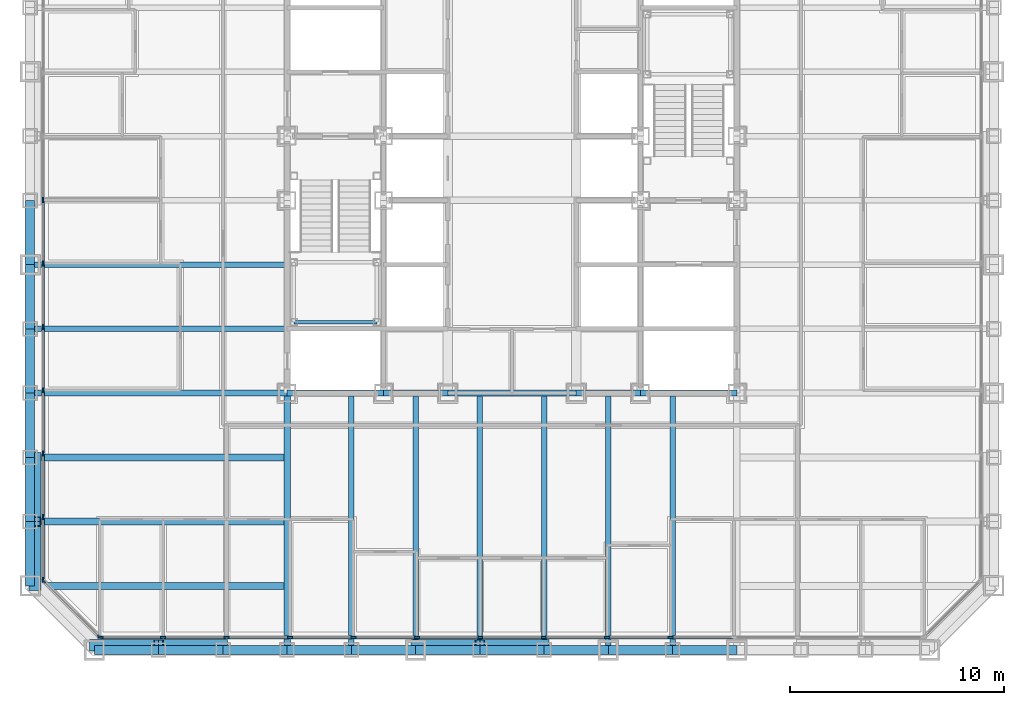
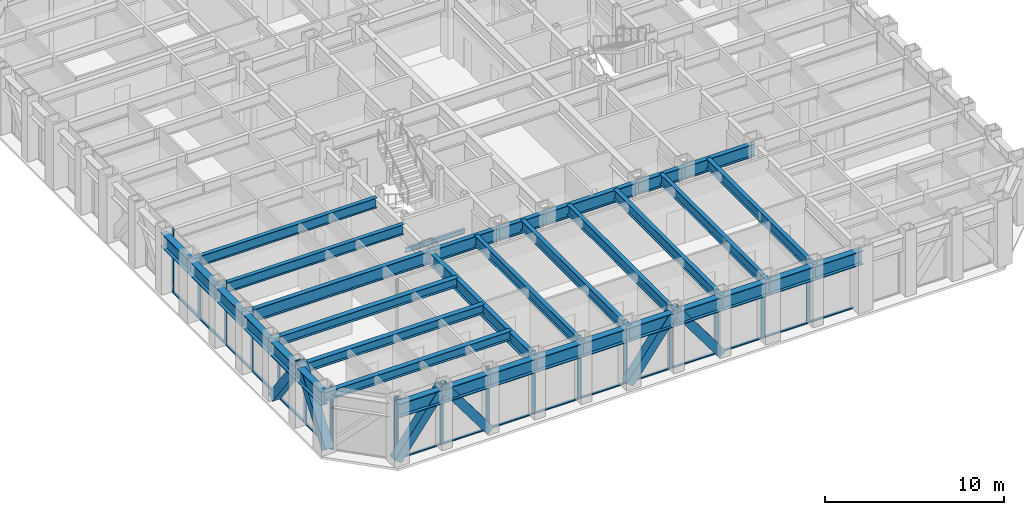
# One storey, part 2 of 16: 41 members, 35 beams, 3 elements without a shape of their own.
"""IFC4 building model written with IfcOpenShell, lengths in metres."""

from ifc_helpers import new_model, si_unit, direction, frame, origin, origin_2d, place, context, subcontext, project, spatial, rectangle, hollow_rectangle, i_section, extrude, material, layer, layer_set, material_profile, profile_set, type_object, element, aggregate, save


model = new_model("IFC4")

# Units and contexts
model_context = context("Model", 3, precision=1e-05, world=origin(), true_north=direction((0.0, 1.0)))
body_context = subcontext(model_context, "Body", "Model", "MODEL_VIEW")
ifc_project = project(units=[si_unit("LENGTHUNIT", "METRE"), si_unit("AREAUNIT", "SQUARE_METRE"), si_unit("VOLUMEUNIT", "CUBIC_METRE"), si_unit("PLANEANGLEUNIT", "RADIAN"), si_unit("MASSUNIT", "GRAM", prefix="KILO")], contexts=[model_context])

# Site, building, storey
site_placement = place(None, origin())
site = spatial("IfcSite", under=ifc_project, at=site_placement, CompositionType="ELEMENT")
building_placement = place(site_placement, origin())
building = spatial("IfcBuilding", under=site, at=building_placement, Name="Chuquiago Exchange Tower", CompositionType="ELEMENT")
storey_placement = place(building_placement, frame((0.0, 0.0, 73.800048828125)))
storey = spatial("IfcBuildingStorey", under=building, at=storey_placement, Name="L15", CompositionType="ELEMENT", Elevation=73.800048828125)

# Beams
ifc_material_1 = material(Name="Steel ASTM A992", Category="steel")
ifc_material_profile_1 = material_profile(ifc_material_1, i_section(OverallWidth=0.2919921875, OverallDepth=0.8583984375, WebThickness=0.01708984375, FlangeThickness=0.031005859375, at=origin_2d()), Name="W33X169")
ifc_profile_set_1 = profile_set([ifc_material_profile_1], Name="Steel ASTM A992")
beam_type_1 = type_object("IfcBeamType", Name="B3 W33X169", PredefinedType="BEAM", material=ifc_profile_set_1)
beam_1_placement = place(storey_placement, frame((12.0, 12.0, 3.610595703125), z_axis=(1.0, 0.0, 0.0), x_axis=(0.0, 1.0, 0.0)))
element("IfcBeam", 1, at=beam_1_placement, inside=storey, type_object=beam_type_1, Name="CB-L16-12_12-16.5_12", PredefinedType="BEAM", context=body_context, shape_type="SweptSolid", body=[
    extrude(i_section(OverallWidth=0.2919921875, OverallDepth=0.8583984375, WebThickness=0.01708984375, FlangeThickness=0.031005859375, at=origin_2d()), origin(), (0.0, 0.0, 1.0), 4.5),
])
beam_2_placement = place(storey_placement, frame((16.5, 12.0, 3.610595703125), z_axis=(1.0, 0.0, 0.0), x_axis=(0.0, 1.0, 0.0)))
element("IfcBeam", 2, at=beam_2_placement, inside=storey, type_object=beam_type_1, Name="CB-L16-16.5_12-19.5_12", PredefinedType="BEAM", context=body_context, shape_type="SweptSolid", body=[
    extrude(i_section(OverallWidth=0.2919921875, OverallDepth=0.8583984375, WebThickness=0.01708984375, FlangeThickness=0.031005859375, at=origin_2d()), origin(), (0.0, 0.0, 1.0), 3.0),
])
beam_3_placement = place(storey_placement, frame((19.5, 12.0, 3.610595703125), z_axis=(1.0, 0.0, 0.0), x_axis=(0.0, 1.0, 0.0)))
element("IfcBeam", 3, at=beam_3_placement, inside=storey, type_object=beam_type_1, Name="CB-L16-19.5_12-25.5_12", PredefinedType="BEAM", context=body_context, shape_type="SweptSolid", body=[
    extrude(i_section(OverallWidth=0.2919921875, OverallDepth=0.8583984375, WebThickness=0.01708984375, FlangeThickness=0.031005859375, at=origin_2d()), origin(), (0.0, 0.0, 1.0), 6.0),
])
beam_4_placement = place(storey_placement, frame((25.5, 12.0, 3.610595703125), z_axis=(1.0, 0.0, 0.0), x_axis=(0.0, 1.0, 0.0)))
element("IfcBeam", 4, at=beam_4_placement, inside=storey, type_object=beam_type_1, Name="CB-L16-25.5_12-28.5_12", PredefinedType="BEAM", context=body_context, shape_type="SweptSolid", body=[
    extrude(i_section(OverallWidth=0.2919921875, OverallDepth=0.8583984375, WebThickness=0.01708984375, FlangeThickness=0.031005859375, at=origin_2d()), origin(), (0.0, 0.0, 1.0), 3.0),
])
beam_5_placement = place(storey_placement, frame((28.5, 12.0, 3.610595703125), z_axis=(1.0, 0.0, 0.0), x_axis=(0.0, 1.0, 0.0)))
element("IfcBeam", 5, at=beam_5_placement, inside=storey, type_object=beam_type_1, Name="CB-L16-28.5_12-33_12", PredefinedType="BEAM", context=body_context, shape_type="SweptSolid", body=[
    extrude(i_section(OverallWidth=0.2919921875, OverallDepth=0.8583984375, WebThickness=0.01708984375, FlangeThickness=0.031005859375, at=origin_2d()), origin(), (0.0, 0.0, 1.0), 4.5),
])
ifc_material_2 = material(Name="Steel ASTM A992", Category="steel")
ifc_material_profile_2 = material_profile(ifc_material_2, i_section(OverallWidth=0.256591796875, OverallDepth=0.693359375, WebThickness=0.014404296875, FlangeThickness=0.023681640625, at=origin_2d()), Name="W27X114")
ifc_profile_set_2 = profile_set([ifc_material_profile_2], Name="Steel ASTM A992")
beam_type_2 = type_object("IfcBeamType", Name="B4 W27X114", PredefinedType="BEAM", material=ifc_profile_set_2)
for number, where, z_axis, x_axis, name in (
    (6, (15.0, 12.0, 3.693359375), (0.0, -1.0, 0.0), (1.0, 0.0, 0.0), "FB-L16-infill-15_12-15_-0-0"),
    (7, (18.0, 12.0, 3.693359375), (0.0, -1.0, 0.0), (1.0, 0.0, 0.0), "FB-L16-infill-18_12-18_-0-0"),
    (8, (21.0, 12.0, 3.693359375), (0.0, -1.0, 0.0), (1.0, 0.0, 0.0), "FB-L16-infill-21_12-21_-0-0"),
    (9, (24.0, 12.0, 3.693359375), (0.0, -1.0, 0.0), (1.0, 0.0, 0.0), "FB-L16-infill-24_12-24_-0-0"),
    (10, (27.0, 12.0, 3.693359375), (0.0, -1.0, 0.0), (1.0, 0.0, 0.0), "FB-L16-infill-27_12-27_-0-0"),
    (11, (30.0, 12.0, 3.693359375), (0.0, -1.0, 0.0), (1.0, 0.0, 0.0), "FB-L16-infill-30_12-30_-0-0"),
    (12, (12.0, 15.0, 3.693359375), (-1.0, 0.0, 0.0), (0.0, -1.0, 0.0), "FB-L16-infill-12_15--0_15-0"),
    (13, (12.0, 18.0, 3.693359375), (-1.0, 0.0, 0.0), (0.0, -1.0, 0.0), "FB-L16-infill-12_18--0_18-0"),
):
    element("IfcBeam", number, at=place(storey_placement, frame(where, z_axis=z_axis, x_axis=x_axis)), inside=storey, type_object=beam_type_2, Name=name, PredefinedType="BEAM", context=body_context, shape_type="SweptSolid", body=[
        extrude(i_section(OverallWidth=0.256591796875, OverallDepth=0.693359375, WebThickness=0.014404296875, FlangeThickness=0.023681640625, at=origin_2d()), origin(), (0.0, 0.0, 1.0), 12.0),
    ])
ifc_material_3 = material(Name="Steel ASTM A992", Category="steel")
ifc_material_profile_3 = material_profile(ifc_material_3, i_section(OverallWidth=0.3251953125, OverallDepth=0.6171875, WebThickness=0.013916015625, FlangeThickness=0.021484375, at=origin_2d()), Name="W24X117")
ifc_profile_set_3 = profile_set([ifc_material_profile_3], Name="Steel ASTM A992")
beam_type_3 = type_object("IfcBeamType", Name="B5 W24X117", PredefinedType="BEAM", material=ifc_profile_set_3)
for number, where, z_axis, x_axis, name in (
    (14, (12.0, 3.0, 3.7314453125), (-1.0, 0.0, 0.0), (0.0, -1.0, 0.0), "FB-L16-corner-12_3--0_3-0"),
    (15, (12.0, 6.0, 3.7314453125), (-1.0, 0.0, 0.0), (0.0, -1.0, 0.0), "FB-L16-corner-12_6--0_6-0"),
    (16, (12.0, 9.0, 3.7314453125), (-1.0, 0.0, 0.0), (0.0, -1.0, 0.0), "FB-L16-corner-12_9--0_9-0"),
):
    element("IfcBeam", number, at=place(storey_placement, frame(where, z_axis=z_axis, x_axis=x_axis)), inside=storey, type_object=beam_type_3, Name=name, PredefinedType="BEAM", context=body_context, shape_type="SweptSolid", body=[
        extrude(i_section(OverallWidth=0.3251953125, OverallDepth=0.6171875, WebThickness=0.013916015625, FlangeThickness=0.021484375, at=origin_2d()), origin(), (0.0, 0.0, 1.0), 12.0),
    ])

# Curtain wall, members
ifc_material_4 = material(Name="Aluminium curtain wall system", Category="aluminium")
ifc_layer_1 = layer(ifc_material_4, 0.25)
ifc_layer_set_1 = layer_set([ifc_layer_1], Name="CW1 trading floor curtain wall")
curtain_wall_type_1 = type_object("IfcCurtainWallType", Name="CW1 trading floor curtain wall", PredefinedType="NOTDEFINED", material=ifc_layer_set_1)
curtain_wall_1_placement = place(storey_placement, origin())
curtain_wall_1 = element("IfcCurtainWall", 17, at=curtain_wall_1_placement, inside=storey, type_object=curtain_wall_type_1, Name="CW1 curtain wall L15", PredefinedType="NOTDEFINED")
ifc_material_5 = material(Name="Aluminium mullion, pale anodised", Category="aluminium")
ifc_material_profile_4 = material_profile(ifc_material_5, rectangle(XDim=0.074951171875, YDim=0.25, at=origin_2d()), Name="AL 75x250")
ifc_profile_set_4 = profile_set([ifc_material_profile_4], Name="Aluminium mullion, pale anodised")
member_type_1 = type_object("IfcMemberType", Name="CW1-M mullion 75x250", PredefinedType="MULLION", material=ifc_profile_set_4)
member_1_placement = place(storey_placement, frame((3.285888671875, 0.60009765625, -0.300048828125), z_axis=(0.0, 0.0, 1.0), x_axis=(0.0, 1.0, 0.0)))
member_1 = element("IfcMember", 18, at=member_1_placement, type_object=member_type_1, Name="CW1 mullion 1", PredefinedType="MULLION", context=body_context, shape_type="SweptSolid", body=[
    extrude(rectangle(XDim=0.074951171875, YDim=0.25, at=origin_2d()), origin(), (0.0, 0.0, 1.0), 4.340087890625),
])
member_2_placement = place(storey_placement, frame((6.210205078125, 0.60009765625, -0.300048828125), z_axis=(0.0, 0.0, 1.0), x_axis=(0.0, 1.0, 0.0)))
member_2 = element("IfcMember", 19, at=member_2_placement, type_object=member_type_1, Name="CW1 mullion 2", PredefinedType="MULLION", context=body_context, shape_type="SweptSolid", body=[
    extrude(rectangle(XDim=0.074951171875, YDim=0.25, at=origin_2d()), origin(), (0.0, 0.0, 1.0), 4.340087890625),
])
member_3_placement = place(storey_placement, frame((9.172119140625, 0.60009765625, -0.300048828125), z_axis=(0.0, 0.0, 1.0), x_axis=(0.0, 1.0, 0.0)))
member_3 = element("IfcMember", 20, at=member_3_placement, type_object=member_type_1, Name="CW1 mullion 3", PredefinedType="MULLION", context=body_context, shape_type="SweptSolid", body=[
    extrude(rectangle(XDim=0.074951171875, YDim=0.25, at=origin_2d()), origin(), (0.0, 0.0, 1.0), 4.340087890625),
])
member_4_placement = place(storey_placement, frame((12.1337890625, 0.60009765625, -0.300048828125), z_axis=(0.0, 0.0, 1.0), x_axis=(0.0, 1.0, 0.0)))
member_4 = element("IfcMember", 21, at=member_4_placement, type_object=member_type_1, Name="CW1 mullion 4", PredefinedType="MULLION", context=body_context, shape_type="SweptSolid", body=[
    extrude(rectangle(XDim=0.074951171875, YDim=0.25, at=origin_2d()), origin(), (0.0, 0.0, 1.0), 4.340087890625),
])
member_5_placement = place(storey_placement, frame((15.095458984375, 0.60009765625, -0.300048828125), z_axis=(0.0, 0.0, 1.0), x_axis=(0.0, 1.0, 0.0)))
member_5 = element("IfcMember", 22, at=member_5_placement, type_object=member_type_1, Name="CW1 mullion 5", PredefinedType="MULLION", context=body_context, shape_type="SweptSolid", body=[
    extrude(rectangle(XDim=0.074951171875, YDim=0.25, at=origin_2d()), origin(), (0.0, 0.0, 1.0), 4.340087890625),
])
member_6_placement = place(storey_placement, frame((18.057373046875, 0.60009765625, -0.300048828125), z_axis=(0.0, 0.0, 1.0), x_axis=(0.0, 1.0, 0.0)))
member_6 = element("IfcMember", 23, at=member_6_placement, type_object=member_type_1, Name="CW1 mullion 6", PredefinedType="MULLION", context=body_context, shape_type="SweptSolid", body=[
    extrude(rectangle(XDim=0.074951171875, YDim=0.25, at=origin_2d()), origin(), (0.0, 0.0, 1.0), 4.340087890625),
])
member_7_placement = place(storey_placement, frame((21.01904296875, 0.60009765625, -0.300048828125), z_axis=(0.0, 0.0, 1.0), x_axis=(0.0, 1.0, 0.0)))
member_7 = element("IfcMember", 24, at=member_7_placement, type_object=member_type_1, Name="CW1 mullion 7", PredefinedType="MULLION", context=body_context, shape_type="SweptSolid", body=[
    extrude(rectangle(XDim=0.074951171875, YDim=0.25, at=origin_2d()), origin(), (0.0, 0.0, 1.0), 4.340087890625),
])
member_8_placement = place(storey_placement, frame((23.98095703125, 0.60009765625, -0.300048828125), z_axis=(0.0, 0.0, 1.0), x_axis=(0.0, 1.0, 0.0)))
member_8 = element("IfcMember", 25, at=member_8_placement, type_object=member_type_1, Name="CW1 mullion 8", PredefinedType="MULLION", context=body_context, shape_type="SweptSolid", body=[
    extrude(rectangle(XDim=0.074951171875, YDim=0.25, at=origin_2d()), origin(), (0.0, 0.0, 1.0), 4.340087890625),
])
member_9_placement = place(storey_placement, frame((26.942626953125, 0.60009765625, -0.300048828125), z_axis=(0.0, 0.0, 1.0), x_axis=(0.0, 1.0, 0.0)))
member_9 = element("IfcMember", 26, at=member_9_placement, type_object=member_type_1, Name="CW1 mullion 9", PredefinedType="MULLION", context=body_context, shape_type="SweptSolid", body=[
    extrude(rectangle(XDim=0.074951171875, YDim=0.25, at=origin_2d()), origin(), (0.0, 0.0, 1.0), 4.340087890625),
])
member_10_placement = place(storey_placement, frame((29.904541015625, 0.60009765625, -0.300048828125), z_axis=(0.0, 0.0, 1.0), x_axis=(0.0, 1.0, 0.0)))
member_10 = element("IfcMember", 27, at=member_10_placement, type_object=member_type_1, Name="CW1 mullion 10", PredefinedType="MULLION", context=body_context, shape_type="SweptSolid", body=[
    extrude(rectangle(XDim=0.074951171875, YDim=0.25, at=origin_2d()), origin(), (0.0, 0.0, 1.0), 4.340087890625),
])

curtain_wall_2_placement = place(storey_placement, origin())
curtain_wall_2 = element("IfcCurtainWall", 28, at=curtain_wall_2_placement, inside=storey, type_object=curtain_wall_type_1, Name="CW1 curtain wall L15", PredefinedType="NOTDEFINED")
member_11_placement = place(storey_placement, frame((0.60009765625, 21.01904296875, -0.300048828125), z_axis=(0.0, 0.0, 1.0), x_axis=(1.0, 0.0, 0.0)))
member_11 = element("IfcMember", 29, at=member_11_placement, type_object=member_type_1, Name="CW1 mullion 8", PredefinedType="MULLION", context=body_context, shape_type="SweptSolid", body=[
    extrude(rectangle(XDim=0.074951171875, YDim=0.25, at=origin_2d()), origin(), (0.0, 0.0, 1.0), 4.340087890625),
])
member_12_placement = place(storey_placement, frame((0.60009765625, 18.057373046875, -0.300048828125), z_axis=(0.0, 0.0, 1.0), x_axis=(1.0, 0.0, 0.0)))
member_12 = element("IfcMember", 30, at=member_12_placement, type_object=member_type_1, Name="CW1 mullion 9", PredefinedType="MULLION", context=body_context, shape_type="SweptSolid", body=[
    extrude(rectangle(XDim=0.074951171875, YDim=0.25, at=origin_2d()), origin(), (0.0, 0.0, 1.0), 4.340087890625),
])
member_13_placement = place(storey_placement, frame((0.60009765625, 15.095458984375, -0.300048828125), z_axis=(0.0, 0.0, 1.0), x_axis=(1.0, 0.0, 0.0)))
member_13 = element("IfcMember", 31, at=member_13_placement, type_object=member_type_1, Name="CW1 mullion 10", PredefinedType="MULLION", context=body_context, shape_type="SweptSolid", body=[
    extrude(rectangle(XDim=0.074951171875, YDim=0.25, at=origin_2d()), origin(), (0.0, 0.0, 1.0), 4.340087890625),
])
member_14_placement = place(storey_placement, frame((0.60009765625, 12.1337890625, -0.300048828125), z_axis=(0.0, 0.0, 1.0), x_axis=(1.0, 0.0, 0.0)))
member_14 = element("IfcMember", 32, at=member_14_placement, type_object=member_type_1, Name="CW1 mullion 11", PredefinedType="MULLION", context=body_context, shape_type="SweptSolid", body=[
    extrude(rectangle(XDim=0.074951171875, YDim=0.25, at=origin_2d()), origin(), (0.0, 0.0, 1.0), 4.340087890625),
])
member_15_placement = place(storey_placement, frame((0.60009765625, 9.172119140625, -0.300048828125), z_axis=(0.0, 0.0, 1.0), x_axis=(1.0, 0.0, 0.0)))
member_15 = element("IfcMember", 33, at=member_15_placement, type_object=member_type_1, Name="CW1 mullion 12", PredefinedType="MULLION", context=body_context, shape_type="SweptSolid", body=[
    extrude(rectangle(XDim=0.074951171875, YDim=0.25, at=origin_2d()), origin(), (0.0, 0.0, 1.0), 4.340087890625),
])
member_16_placement = place(storey_placement, frame((0.60009765625, 6.210205078125, -0.300048828125), z_axis=(0.0, 0.0, 1.0), x_axis=(1.0, 0.0, 0.0)))
member_16 = element("IfcMember", 34, at=member_16_placement, type_object=member_type_1, Name="CW1 mullion 13", PredefinedType="MULLION", context=body_context, shape_type="SweptSolid", body=[
    extrude(rectangle(XDim=0.074951171875, YDim=0.25, at=origin_2d()), origin(), (0.0, 0.0, 1.0), 4.340087890625),
])
member_17_placement = place(storey_placement, frame((0.60009765625, 3.285888671875, -0.300048828125), z_axis=(0.0, 0.0, 1.0), x_axis=(1.0, 0.0, 0.0)))
member_17 = element("IfcMember", 35, at=member_17_placement, type_object=member_type_1, Name="CW1 mullion 14", PredefinedType="MULLION", context=body_context, shape_type="SweptSolid", body=[
    extrude(rectangle(XDim=0.074951171875, YDim=0.25, at=origin_2d()), origin(), (0.0, 0.0, 1.0), 4.340087890625),
])

# Member
ifc_material_6 = material(Name="Aluminium transom, pale anodised", Category="aluminium")
ifc_material_profile_5 = material_profile(ifc_material_6, rectangle(XDim=0.14990234375, YDim=0.074951171875, at=origin_2d()), Name="AL 150x75")
ifc_profile_set_5 = profile_set([ifc_material_profile_5], Name="Aluminium transom, pale anodised")
member_type_2 = type_object("IfcMemberType", Name="CW1-T transom 75x150", PredefinedType="MULLION", material=ifc_profile_set_5)
member_18_placement = place(storey_placement, frame((3.323486328125, 0.60009765625, -0.262451171875), z_axis=(1.0, 0.0, 0.0), x_axis=(0.0, 1.0, 0.0)))
member_18 = element("IfcMember", 36, at=member_18_placement, type_object=member_type_2, Name="CW1 transom 1.1", PredefinedType="MULLION", context=body_context, shape_type="SweptSolid", body=[
    extrude(rectangle(XDim=0.14990234375, YDim=0.074951171875, at=origin_2d()), origin(), (0.0, 0.0, 1.0), 2.849365234375),
])

member_19_placement = place(storey_placement, frame((6.247802734375, 0.60009765625, -0.262451171875), z_axis=(1.0, 0.0, 0.0), x_axis=(0.0, 1.0, 0.0)))
member_19 = element("IfcMember", 37, at=member_19_placement, type_object=member_type_2, Name="CW1 transom 2.1", PredefinedType="MULLION", context=body_context, shape_type="SweptSolid", body=[
    extrude(rectangle(XDim=0.14990234375, YDim=0.074951171875, at=origin_2d()), origin(), (0.0, 0.0, 1.0), 2.88671875),
])

member_20_placement = place(storey_placement, frame((9.20947265625, 0.60009765625, -0.262451171875), z_axis=(1.0, 0.0, 0.0), x_axis=(0.0, 1.0, 0.0)))
member_20 = element("IfcMember", 38, at=member_20_placement, type_object=member_type_2, Name="CW1 transom 3.1", PredefinedType="MULLION", context=body_context, shape_type="SweptSolid", body=[
    extrude(rectangle(XDim=0.14990234375, YDim=0.074951171875, at=origin_2d()), origin(), (0.0, 0.0, 1.0), 2.88671875),
])

member_21_placement = place(storey_placement, frame((12.17138671875, 0.60009765625, -0.262451171875), z_axis=(1.0, 0.0, 0.0), x_axis=(0.0, 1.0, 0.0)))
member_21 = element("IfcMember", 39, at=member_21_placement, type_object=member_type_2, Name="CW1 transom 4.1", PredefinedType="MULLION", context=body_context, shape_type="SweptSolid", body=[
    extrude(rectangle(XDim=0.14990234375, YDim=0.074951171875, at=origin_2d()), origin(), (0.0, 0.0, 1.0), 2.88671875),
])

member_22_placement = place(storey_placement, frame((15.133056640625, 0.60009765625, -0.262451171875), z_axis=(1.0, 0.0, 0.0), x_axis=(0.0, 1.0, 0.0)))
member_22 = element("IfcMember", 40, at=member_22_placement, type_object=member_type_2, Name="CW1 transom 5.1", PredefinedType="MULLION", context=body_context, shape_type="SweptSolid", body=[
    extrude(rectangle(XDim=0.14990234375, YDim=0.074951171875, at=origin_2d()), origin(), (0.0, 0.0, 1.0), 2.88671875),
])

member_23_placement = place(storey_placement, frame((18.0947265625, 0.60009765625, -0.262451171875), z_axis=(1.0, 0.0, 0.0), x_axis=(0.0, 1.0, 0.0)))
member_23 = element("IfcMember", 41, at=member_23_placement, type_object=member_type_2, Name="CW1 transom 6.1", PredefinedType="MULLION", context=body_context, shape_type="SweptSolid", body=[
    extrude(rectangle(XDim=0.14990234375, YDim=0.074951171875, at=origin_2d()), origin(), (0.0, 0.0, 1.0), 2.886962890625),
])

member_24_placement = place(storey_placement, frame((21.056640625, 0.60009765625, -0.262451171875), z_axis=(1.0, 0.0, 0.0), x_axis=(0.0, 1.0, 0.0)))
member_24 = element("IfcMember", 42, at=member_24_placement, type_object=member_type_2, Name="CW1 transom 7.1", PredefinedType="MULLION", context=body_context, shape_type="SweptSolid", body=[
    extrude(rectangle(XDim=0.14990234375, YDim=0.074951171875, at=origin_2d()), origin(), (0.0, 0.0, 1.0), 2.88671875),
])

member_25_placement = place(storey_placement, frame((24.018310546875, 0.60009765625, -0.262451171875), z_axis=(1.0, 0.0, 0.0), x_axis=(0.0, 1.0, 0.0)))
member_25 = element("IfcMember", 43, at=member_25_placement, type_object=member_type_2, Name="CW1 transom 8.1", PredefinedType="MULLION", context=body_context, shape_type="SweptSolid", body=[
    extrude(rectangle(XDim=0.14990234375, YDim=0.074951171875, at=origin_2d()), origin(), (0.0, 0.0, 1.0), 2.886962890625),
])

member_26_placement = place(storey_placement, frame((26.980224609375, 0.60009765625, -0.262451171875), z_axis=(1.0, 0.0, 0.0), x_axis=(0.0, 1.0, 0.0)))
member_26 = element("IfcMember", 44, at=member_26_placement, type_object=member_type_2, Name="CW1 transom 9.1", PredefinedType="MULLION", context=body_context, shape_type="SweptSolid", body=[
    extrude(rectangle(XDim=0.14990234375, YDim=0.074951171875, at=origin_2d()), origin(), (0.0, 0.0, 1.0), 2.88671875),
])

member_27_placement = place(storey_placement, frame((29.94189453125, 0.60009765625, -0.262451171875), z_axis=(1.0, 0.0, 0.0), x_axis=(0.0, 1.0, 0.0)))
member_27 = element("IfcMember", 45, at=member_27_placement, type_object=member_type_2, Name="CW1 transom 10.1", PredefinedType="MULLION", context=body_context, shape_type="SweptSolid", body=[
    extrude(rectangle(XDim=0.14990234375, YDim=0.074951171875, at=origin_2d()), origin(), (0.0, 0.0, 1.0), 2.88671875),
])

aggregate(curtain_wall_1, [member_1, member_2, member_3, member_4, member_5, member_6, member_7, member_8, member_9, member_10, member_18, member_19, member_20, member_21, member_22, member_23, member_24, member_25, member_26, member_27])

member_28_placement = place(storey_placement, frame((0.60009765625, 20.981689453125, -0.262451171875), z_axis=(0.0, -1.0, 0.0), x_axis=(1.0, 0.0, 0.0)))
member_28 = element("IfcMember", 46, at=member_28_placement, type_object=member_type_2, Name="CW1 transom 8.1", PredefinedType="MULLION", context=body_context, shape_type="SweptSolid", body=[
    extrude(rectangle(XDim=0.14990234375, YDim=0.074951171875, at=origin_2d()), origin(), (0.0, 0.0, 1.0), 2.886962890625),
])

member_29_placement = place(storey_placement, frame((0.60009765625, 18.019775390625, -0.262451171875), z_axis=(0.0, -1.0, 0.0), x_axis=(1.0, 0.0, 0.0)))
member_29 = element("IfcMember", 47, at=member_29_placement, type_object=member_type_2, Name="CW1 transom 9.1", PredefinedType="MULLION", context=body_context, shape_type="SweptSolid", body=[
    extrude(rectangle(XDim=0.14990234375, YDim=0.074951171875, at=origin_2d()), origin(), (0.0, 0.0, 1.0), 2.88671875),
])

member_30_placement = place(storey_placement, frame((0.60009765625, 15.05810546875, -0.262451171875), z_axis=(0.0, -1.0, 0.0), x_axis=(1.0, 0.0, 0.0)))
member_30 = element("IfcMember", 48, at=member_30_placement, type_object=member_type_2, Name="CW1 transom 10.1", PredefinedType="MULLION", context=body_context, shape_type="SweptSolid", body=[
    extrude(rectangle(XDim=0.14990234375, YDim=0.074951171875, at=origin_2d()), origin(), (0.0, 0.0, 1.0), 2.88671875),
])

member_31_placement = place(storey_placement, frame((0.60009765625, 12.09619140625, -0.262451171875), z_axis=(0.0, -1.0, 0.0), x_axis=(1.0, 0.0, 0.0)))
member_31 = element("IfcMember", 49, at=member_31_placement, type_object=member_type_2, Name="CW1 transom 11.1", PredefinedType="MULLION", context=body_context, shape_type="SweptSolid", body=[
    extrude(rectangle(XDim=0.14990234375, YDim=0.074951171875, at=origin_2d()), origin(), (0.0, 0.0, 1.0), 2.88671875),
])

member_32_placement = place(storey_placement, frame((0.60009765625, 9.134521484375, -0.262451171875), z_axis=(0.0, -1.0, 0.0), x_axis=(1.0, 0.0, 0.0)))
member_32 = element("IfcMember", 50, at=member_32_placement, type_object=member_type_2, Name="CW1 transom 12.1", PredefinedType="MULLION", context=body_context, shape_type="SweptSolid", body=[
    extrude(rectangle(XDim=0.14990234375, YDim=0.074951171875, at=origin_2d()), origin(), (0.0, 0.0, 1.0), 2.88671875),
])

member_33_placement = place(storey_placement, frame((0.60009765625, 6.1728515625, -0.262451171875), z_axis=(0.0, -1.0, 0.0), x_axis=(1.0, 0.0, 0.0)))
member_33 = element("IfcMember", 51, at=member_33_placement, type_object=member_type_2, Name="CW1 transom 13.1", PredefinedType="MULLION", context=body_context, shape_type="SweptSolid", body=[
    extrude(rectangle(XDim=0.14990234375, YDim=0.074951171875, at=origin_2d()), origin(), (0.0, 0.0, 1.0), 2.849365234375),
])

aggregate(curtain_wall_2, [member_11, member_12, member_13, member_14, member_15, member_16, member_17, member_28, member_29, member_30, member_31, member_32, member_33])

# Curtain wall, members
ifc_material_7 = material(Name="Aluminium curtain wall system", Category="aluminium")
ifc_layer_2 = layer(ifc_material_7, 0.199951171875)
ifc_layer_set_2 = layer_set([ifc_layer_2], Name="CW3 facet curtain wall")
curtain_wall_type_2 = type_object("IfcCurtainWallType", Name="CW3 facet curtain wall", PredefinedType="NOTDEFINED", material=ifc_layer_set_2)
curtain_wall_3_placement = place(storey_placement, origin())
curtain_wall_3 = element("IfcCurtainWall", 52, at=curtain_wall_3_placement, inside=storey, type_object=curtain_wall_type_2, Name="CW3 curtain wall L15", PredefinedType="NOTDEFINED")
ifc_material_8 = material(Name="Aluminium mullion, pale anodised", Category="aluminium")
ifc_material_profile_6 = material_profile(ifc_material_8, rectangle(XDim=0.06494140625, YDim=0.199951171875, at=origin_2d()), Name="AL 65x200")
ifc_profile_set_6 = profile_set([ifc_material_profile_6], Name="Aluminium mullion, pale anodised")
member_type_3 = type_object("IfcMemberType", Name="CW3-M mullion 65x200", PredefinedType="MULLION", material=ifc_profile_set_6)
member_34_placement = place(storey_placement, frame((0.623046875, 3.2255859375, -0.300048828125), z_axis=(0.0, 0.0, 1.0), x_axis=(0.707106781187, 0.707106781187, 0.0)))
member_34 = element("IfcMember", 53, at=member_34_placement, type_object=member_type_3, Name="CW3 mullion 1", PredefinedType="MULLION", context=body_context, shape_type="SweptSolid", body=[
    extrude(rectangle(XDim=0.06494140625, YDim=0.199951171875, at=origin_2d()), origin(), (0.0, 0.0, 1.0), 4.340087890625),
])
member_35_placement = place(storey_placement, frame((3.2255859375, 0.623046875, -0.300048828125), z_axis=(0.0, 0.0, 1.0), x_axis=(0.707106781187, 0.707106781187, 0.0)))
member_35 = element("IfcMember", 54, at=member_35_placement, type_object=member_type_3, Name="CW3 mullion 2", PredefinedType="MULLION", context=body_context, shape_type="SweptSolid", body=[
    extrude(rectangle(XDim=0.06494140625, YDim=0.199951171875, at=origin_2d()), origin(), (0.0, 0.0, 1.0), 4.340087890625),
])
aggregate(curtain_wall_3, [member_34, member_35])

# Beams
ifc_material_9 = material(Name="Steel ASTM A992", Category="steel")
ifc_material_profile_7 = material_profile(ifc_material_9, i_section(OverallWidth=0.2919921875, OverallDepth=0.8583984375, WebThickness=0.01708984375, FlangeThickness=0.031005859375, at=origin_2d()), Name="W33X169")
ifc_profile_set_7 = profile_set([ifc_material_profile_7], Name="Steel ASTM A992")
beam_type_4 = type_object("IfcBeamType", Name="G2 W33X169", PredefinedType="BEAM", material=ifc_profile_set_7)
for number, where, z_axis, x_axis, name in (
    (55, (12.0, 12.0, 3.610595703125), (0.0, -1.0, 0.0), (1.0, 0.0, 0.0), "FB-L16-girder-12_12-12_-0-0"),
    (56, (12.0, 12.0, 3.610595703125), (-1.0, 0.0, 0.0), (0.0, -1.0, 0.0), "FB-L16-girder-12_12--0_12-0"),
):
    element("IfcBeam", number, at=place(storey_placement, frame(where, z_axis=z_axis, x_axis=x_axis)), inside=storey, type_object=beam_type_4, Name=name, PredefinedType="BEAM", context=body_context, shape_type="SweptSolid", body=[
        extrude(i_section(OverallWidth=0.2919921875, OverallDepth=0.8583984375, WebThickness=0.01708984375, FlangeThickness=0.031005859375, at=origin_2d()), origin(), (0.0, 0.0, 1.0), 12.0),
    ])
ifc_material_10 = material(Name="Steel ASTM A992", Category="steel")
ifc_material_profile_8 = material_profile(ifc_material_10, i_section(OverallWidth=0.164794921875, OverallDepth=0.309814453125, WebThickness=0.005859375, FlangeThickness=0.009765625, at=origin_2d()), Name="W12X26")
ifc_profile_set_8 = profile_set([ifc_material_profile_8], Name="Steel ASTM A992")
beam_type_5 = type_object("IfcBeamType", Name="LT1 W12X26", PredefinedType="BEAM", material=ifc_profile_set_8)
beam_6_placement = place(storey_placement, frame((12.31005859375, 15.31005859375, 1.89501953125), z_axis=(1.0, 0.0, 0.0), x_axis=(0.0, 1.0, 0.0)))
element("IfcBeam", 57, at=beam_6_placement, inside=storey, type_object=beam_type_5, Name="Stair ST1 L15 landing 1 trimmer", PredefinedType="BEAM", context=body_context, shape_type="SweptSolid", body=[
    extrude(i_section(OverallWidth=0.164794921875, OverallDepth=0.309814453125, WebThickness=0.005859375, FlangeThickness=0.009765625, at=origin_2d()), origin(), (0.0, 0.0, 1.0), 3.8798828125),
])

# Members
ifc_material_11 = material(Name="Steel ASTM A572 Grade 50", Category="steel")
ifc_material_profile_9 = material_profile(ifc_material_11, hollow_rectangle(XDim=0.550048828125, YDim=0.550048828125, WallThickness=0.044921875, at=origin_2d()), Name="BOX550X550X45")
ifc_profile_set_9 = profile_set([ifc_material_profile_9], Name="Steel ASTM A572 Grade 50")
member_type_4 = type_object("IfcMemberType", Name="MB1 BOX550X550X45", PredefinedType="BRACE", material=ifc_profile_set_9)
for number, where, z_axis, x_axis, name in (
    (58, (3.0, 0.22998046875, 0.0), (0.596173923302, 0.0, 0.802855312728), (0.0, 1.0, 0.0), "Mega diagonal L15 S face"),
    (59, (9.0, 0.22998046875, 0.0), (-0.596173923302, 0.0, 0.802855312728), (0.0, -1.0, 0.0), "Mega diagonal L15 S face"),
    (60, (18.0, 0.22998046875, 0.0), (0.596173923302, 0.0, 0.802855312728), (0.0, 1.0, 0.0), "Mega diagonal L15 S face"),
    (61, (24.0, 0.22998046875, 0.0), (-0.596173923302, 0.0, 0.802855312728), (0.0, -1.0, 0.0), "Mega diagonal L15 S face"),
    (62, (0.22998046875, 9.0, 0.0), (0.0, -0.596173923302, 0.802855312728), (1.0, 0.0, 0.0), "Mega diagonal L15 W face"),
    (63, (0.22998046875, 3.0, 0.0), (0.0, 0.596173923302, 0.802855312728), (-1.0, 0.0, 0.0), "Mega diagonal L15 W face"),
):
    element("IfcMember", number, at=place(storey_placement, frame(where, z_axis=z_axis, x_axis=x_axis)), inside=storey, type_object=member_type_4, Name=name, PredefinedType="BRACE", context=body_context, shape_type="SweptSolid", body=[
        extrude(hollow_rectangle(XDim=0.550048828125, YDim=0.550048828125, WallThickness=0.044921875, at=origin_2d()), origin(), (0.0, 0.0, 1.0), 5.031982421875),
    ])

# Beams
ifc_material_12 = material(Name="Steel ASTM A992", Category="steel")
ifc_material_profile_10 = material_profile(ifc_material_12, i_section(OverallWidth=0.424072265625, OverallDepth=0.947509765625, WebThickness=0.02392578125, FlangeThickness=0.042724609375, at=origin_2d()), Name="W36X302")
ifc_profile_set_10 = profile_set([ifc_material_profile_10], Name="Steel ASTM A992")
beam_type_6 = type_object("IfcBeamType", Name="SP1 W36X302", PredefinedType="SPANDREL", material=ifc_profile_set_10)
for number, where, z_axis, x_axis, name in (
    (64, (3.0, 0.0, 3.566162109375), (1.0, 0.0, 0.0), (0.0, 1.0, 0.0), "SPB-L16-3_0-6_0"),
    (65, (6.0, 0.0, 3.566162109375), (1.0, 0.0, 0.0), (0.0, 1.0, 0.0), "SPB-L16-6_0-9_0"),
    (66, (9.0, 0.0, 3.566162109375), (1.0, 0.0, 0.0), (0.0, 1.0, 0.0), "SPB-L16-9_0-12_0"),
    (67, (12.0, 0.0, 3.566162109375), (1.0, 0.0, 0.0), (0.0, 1.0, 0.0), "SPB-L16-12_0-15_0"),
    (68, (15.0, 0.0, 3.566162109375), (1.0, 0.0, 0.0), (0.0, 1.0, 0.0), "SPB-L16-15_0-18_0"),
    (69, (18.0, 0.0, 3.566162109375), (1.0, 0.0, 0.0), (0.0, 1.0, 0.0), "SPB-L16-18_0-21_0"),
    (70, (21.0, 0.0, 3.566162109375), (1.0, 0.0, 0.0), (0.0, 1.0, 0.0), "SPB-L16-21_0-24_0"),
    (71, (24.0, 0.0, 3.566162109375), (1.0, 0.0, 0.0), (0.0, 1.0, 0.0), "SPB-L16-24_0-27_0"),
    (72, (27.0, 0.0, 3.566162109375), (1.0, 0.0, 0.0), (0.0, 1.0, 0.0), "SPB-L16-27_0-30_0"),
    (73, (30.0, 0.0, 3.566162109375), (1.0, 0.0, 0.0), (0.0, 1.0, 0.0), "SPB-L16-30_0-33_0"),
    (74, (0.0, 21.0, 3.566162109375), (0.0, -1.0, 0.0), (1.0, 0.0, 0.0), "SPB-L16-0_21-0_18"),
    (75, (0.0, 18.0, 3.566162109375), (0.0, -1.0, 0.0), (1.0, 0.0, 0.0), "SPB-L16-0_18-0_15"),
    (76, (0.0, 15.0, 3.566162109375), (0.0, -1.0, 0.0), (1.0, 0.0, 0.0), "SPB-L16-0_15-0_12"),
    (77, (0.0, 12.0, 3.566162109375), (0.0, -1.0, 0.0), (1.0, 0.0, 0.0), "SPB-L16-0_12-0_9"),
    (78, (0.0, 9.0, 3.566162109375), (0.0, -1.0, 0.0), (1.0, 0.0, 0.0), "SPB-L16-0_9-0_6"),
    (79, (0.0, 6.0, 3.566162109375), (0.0, -1.0, 0.0), (1.0, 0.0, 0.0), "SPB-L16-0_6-0_3"),
):
    element("IfcBeam", number, at=place(storey_placement, frame(where, z_axis=z_axis, x_axis=x_axis)), inside=storey, type_object=beam_type_6, Name=name, PredefinedType="SPANDREL", context=body_context, shape_type="SweptSolid", body=[
        extrude(i_section(OverallWidth=0.424072265625, OverallDepth=0.947509765625, WebThickness=0.02392578125, FlangeThickness=0.042724609375, at=origin_2d()), origin(), (0.0, 0.0, 1.0), 3.0),
    ])

save(model, "model.ifc")
